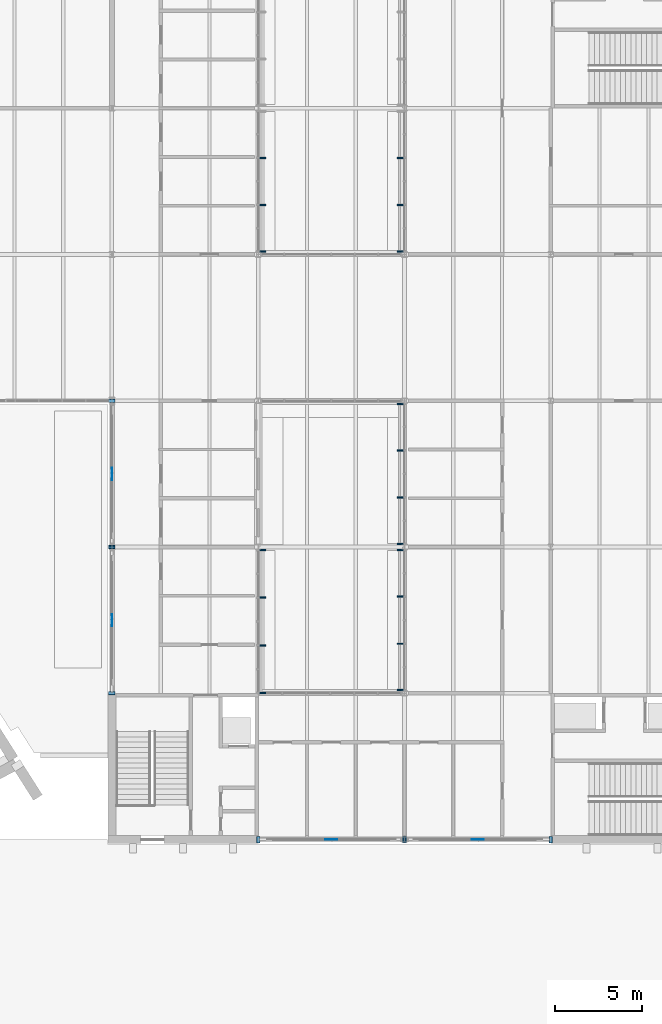
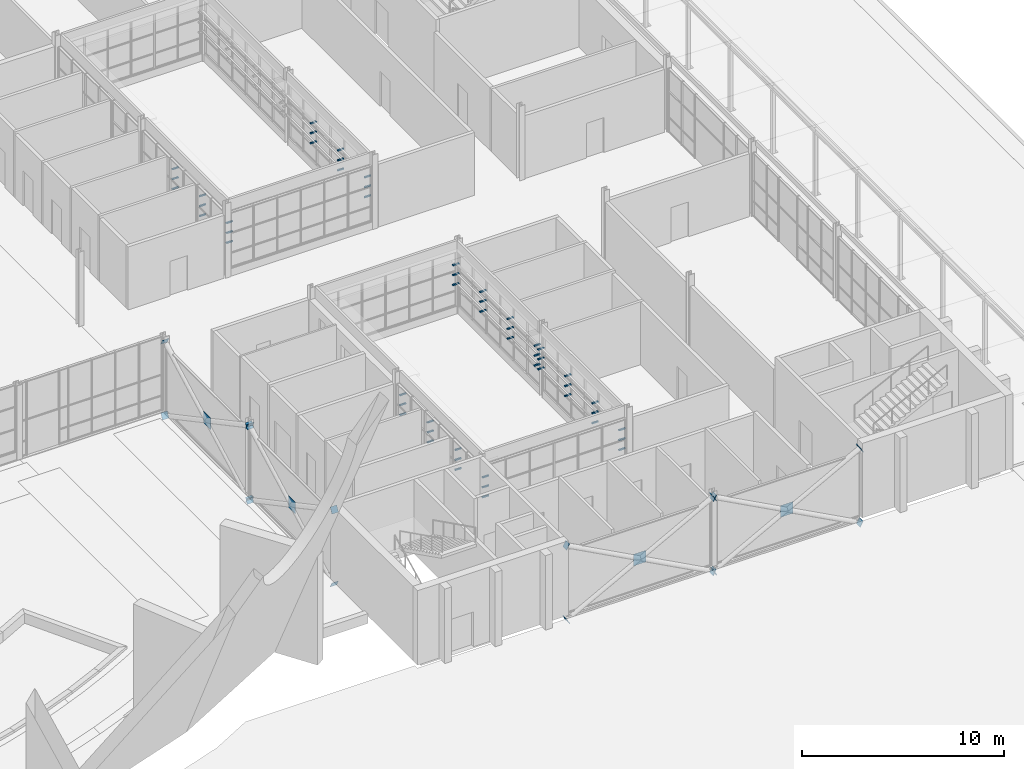
# One storey, part 106 of 116: 74 discrete accessories.
"""IFC4 building model written with IfcOpenShell, lengths in metres."""

from ifc_helpers import new_model, si_unit, direction, frame, origin, origin_2d, place, context, subcontext, project, spatial, rectangle, extrude, material, material_profile, profile_set, type_object, element, save


model = new_model("IFC4")

# Units and contexts
model_context = context("Model", 3, precision=1e-05, world=origin(), true_north=direction((0.0, 1.0)))
body_context = subcontext(model_context, "Body", "Model", "MODEL_VIEW")
ifc_project = project(units=[si_unit("LENGTHUNIT", "METRE"), si_unit("AREAUNIT", "SQUARE_METRE"), si_unit("VOLUMEUNIT", "CUBIC_METRE"), si_unit("PLANEANGLEUNIT", "RADIAN"), si_unit("MASSUNIT", "GRAM", prefix="KILO")], contexts=[model_context])

# Site, building, storey
site_placement = place(None, origin())
site = spatial("IfcSite", under=ifc_project, at=site_placement, CompositionType="ELEMENT")
building_placement = place(site_placement, origin())
building = spatial("IfcBuilding", under=site, at=building_placement, Name="Ardhachandra Cancer Care Centre", CompositionType="ELEMENT")
storey_placement = place(building_placement, origin())
storey = spatial("IfcBuildingStorey", under=building, at=storey_placement, Name="L00", CompositionType="ELEMENT", Elevation=0.0)

# Discrete accessories
ifc_material_1 = material(Name="Steel E250 (IS 2062)", Category="steel")
ifc_material_profile_1 = material_profile(ifc_material_1, rectangle(XDim=0.373046875, YDim=0.373046875, at=origin_2d()), Name="PL 373x373x20")
ifc_profile_set_1 = profile_set([ifc_material_profile_1], Name="Steel E250 (IS 2062)")
discrete_accessory_type_1 = type_object("IfcDiscreteAccessoryType", Name="Brace end plate 373 x 373 x 20", PredefinedType="BRACKET", material=ifc_profile_set_1)
discrete_accessory_1_placement = place(storey_placement, frame((120.0, 29.39990234375, -0.39990234375), z_axis=(0.884384752847, 0.0, 0.466758619558), x_axis=(0.0, 1.0, 0.0)))
element("IfcDiscreteAccessory", 1, at=discrete_accessory_1_placement, inside=storey, type_object=discrete_accessory_type_1, Name="Brace end plate V4-X294-1200 L00 A0", PredefinedType="BRACKET", context=body_context, shape_type="SweptSolid", body=[
    extrude(rectangle(XDim=0.373046875, YDim=0.373046875, at=origin_2d()), origin(), (0.0, 0.0, 1.0), 0.019775390625),
])
discrete_accessory_2_placement = place(storey_placement, frame((128.39990234375, 29.39990234375, 4.10009765625), z_axis=(-0.879291966537, 0.0, -0.476283148541), x_axis=(0.0, -1.0, 0.0)))
element("IfcDiscreteAccessory", 2, at=discrete_accessory_2_placement, inside=storey, type_object=discrete_accessory_type_1, Name="Brace end plate V4-X294-1200 L00 A1", PredefinedType="BRACKET", context=body_context, shape_type="SweptSolid", body=[
    extrude(rectangle(XDim=0.373046875, YDim=0.373046875, at=origin_2d()), origin(), (0.0, 0.0, 1.0), 0.02001953125),
])
discrete_accessory_3_placement = place(storey_placement, frame((128.39990234375, 29.39990234375, -0.39990234375), z_axis=(-0.884384752847, 0.0, 0.466758619558), x_axis=(0.0, -1.0, 0.0)))
element("IfcDiscreteAccessory", 3, at=discrete_accessory_3_placement, inside=storey, type_object=discrete_accessory_type_1, Name="Brace end plate V4-X294-1200 L00 B10", PredefinedType="BRACKET", context=body_context, shape_type="SweptSolid", body=[
    extrude(rectangle(XDim=0.373046875, YDim=0.373046875, at=origin_2d()), origin(), (0.0, 0.0, 1.0), 0.019775390625),
])
for number, where, z_axis, x_axis, name in (
    (4, (120.0, 29.39990234375, 4.10009765625), (0.879291966537, 0.0, -0.476283148541), (0.0, 1.0, 0.0), "Brace end plate V4-X294-1200 L00 B21"),
    (5, (128.39990234375, 29.39990234375, -0.39990234375), (0.887017774073, 0.0, 0.461735279655), (0.0, 1.0, 0.0), "Brace end plate V4-X294-1284 L00 A0"),
    (6, (136.800048828125, 29.39990234375, 4.10009765625), (-0.879291966537, 0.0, -0.476283148541), (0.0, -1.0, 0.0), "Brace end plate V4-X294-1284 L00 A1"),
):
    element("IfcDiscreteAccessory", number, at=place(storey_placement, frame(where, z_axis=z_axis, x_axis=x_axis)), inside=storey, type_object=discrete_accessory_type_1, Name=name, PredefinedType="BRACKET", context=body_context, shape_type="SweptSolid", body=[
        extrude(rectangle(XDim=0.373046875, YDim=0.373046875, at=origin_2d()), origin(), (0.0, 0.0, 1.0), 0.02001953125),
    ])
discrete_accessory_4_placement = place(storey_placement, frame((136.800048828125, 29.39990234375, -0.39990234375), z_axis=(-0.884384752847, 0.0, 0.466758619558), x_axis=(0.0, -1.0, 0.0)))
element("IfcDiscreteAccessory", 7, at=discrete_accessory_4_placement, inside=storey, type_object=discrete_accessory_type_1, Name="Brace end plate V4-X294-1284 L00 B10", PredefinedType="BRACKET", context=body_context, shape_type="SweptSolid", body=[
    extrude(rectangle(XDim=0.373046875, YDim=0.373046875, at=origin_2d()), origin(), (0.0, 0.0, 1.0), 0.019775390625),
])
discrete_accessory_5_placement = place(storey_placement, frame((128.39990234375, 29.39990234375, 4.10009765625), z_axis=(0.882018256262, 0.0, -0.471215232798), x_axis=(0.0, 1.0, 0.0)))
element("IfcDiscreteAccessory", 8, at=discrete_accessory_5_placement, inside=storey, type_object=discrete_accessory_type_1, Name="Brace end plate V4-X294-1284 L00 B21", PredefinedType="BRACKET", context=body_context, shape_type="SweptSolid", body=[
    extrude(rectangle(XDim=0.373046875, YDim=0.373046875, at=origin_2d()), origin(), (0.0, 0.0, 1.0), 0.020263671875),
])
discrete_accessory_6_placement = place(storey_placement, frame((111.60009765625, 37.800048828125, -0.39990234375), z_axis=(0.0, 0.884384752847, 0.466758619558), x_axis=(-1.0, 0.0, 0.0)))
element("IfcDiscreteAccessory", 9, at=discrete_accessory_6_placement, inside=storey, type_object=discrete_accessory_type_1, Name="Brace end plate V4-Y1116-378 L00 A0", PredefinedType="BRACKET", context=body_context, shape_type="SweptSolid", body=[
    extrude(rectangle(XDim=0.373046875, YDim=0.373046875, at=origin_2d()), origin(), (0.0, 0.0, 1.0), 0.019775390625),
])
discrete_accessory_7_placement = place(storey_placement, frame((111.60009765625, 46.199951171875, 4.10009765625), z_axis=(0.0, -0.879291966537, -0.476283148541), x_axis=(1.0, 0.0, 0.0)))
element("IfcDiscreteAccessory", 10, at=discrete_accessory_7_placement, inside=storey, type_object=discrete_accessory_type_1, Name="Brace end plate V4-Y1116-378 L00 A1", PredefinedType="BRACKET", context=body_context, shape_type="SweptSolid", body=[
    extrude(rectangle(XDim=0.373046875, YDim=0.373046875, at=origin_2d()), origin(), (0.0, 0.0, 1.0), 0.02001953125),
])
discrete_accessory_8_placement = place(storey_placement, frame((111.60009765625, 46.199951171875, -0.39990234375), z_axis=(0.0, -0.884384752847, 0.466758619558), x_axis=(1.0, 0.0, 0.0)))
element("IfcDiscreteAccessory", 11, at=discrete_accessory_8_placement, inside=storey, type_object=discrete_accessory_type_1, Name="Brace end plate V4-Y1116-378 L00 B10", PredefinedType="BRACKET", context=body_context, shape_type="SweptSolid", body=[
    extrude(rectangle(XDim=0.373046875, YDim=0.373046875, at=origin_2d()), origin(), (0.0, 0.0, 1.0), 0.019775390625),
])
discrete_accessory_9_placement = place(storey_placement, frame((111.60009765625, 37.800048828125, 4.10009765625), z_axis=(0.0, 0.879291966537, -0.476283148541), x_axis=(-1.0, 0.0, 0.0)))
element("IfcDiscreteAccessory", 12, at=discrete_accessory_9_placement, inside=storey, type_object=discrete_accessory_type_1, Name="Brace end plate V4-Y1116-378 L00 B21", PredefinedType="BRACKET", context=body_context, shape_type="SweptSolid", body=[
    extrude(rectangle(XDim=0.373046875, YDim=0.373046875, at=origin_2d()), origin(), (0.0, 0.0, 1.0), 0.02001953125),
])
discrete_accessory_10_placement = place(storey_placement, frame((111.60009765625, 46.199951171875, -0.39990234375), z_axis=(0.0, 0.884384752847, 0.466758619558), x_axis=(-1.0, 0.0, 0.0)))
element("IfcDiscreteAccessory", 13, at=discrete_accessory_10_placement, inside=storey, type_object=discrete_accessory_type_1, Name="Brace end plate V4-Y1116-462 L00 A0", PredefinedType="BRACKET", context=body_context, shape_type="SweptSolid", body=[
    extrude(rectangle(XDim=0.373046875, YDim=0.373046875, at=origin_2d()), origin(), (0.0, 0.0, 1.0), 0.019775390625),
])
discrete_accessory_11_placement = place(storey_placement, frame((111.60009765625, 54.60009765625, 4.10009765625), z_axis=(0.0, -0.882018256262, -0.471215232798), x_axis=(1.0, 0.0, 0.0)))
element("IfcDiscreteAccessory", 14, at=discrete_accessory_11_placement, inside=storey, type_object=discrete_accessory_type_1, Name="Brace end plate V4-Y1116-462 L00 A1", PredefinedType="BRACKET", context=body_context, shape_type="SweptSolid", body=[
    extrude(rectangle(XDim=0.373046875, YDim=0.373046875, at=origin_2d()), origin(), (0.0, 0.0, 1.0), 0.020263671875),
])
for number, where, z_axis, x_axis, name in (
    (15, (111.60009765625, 54.60009765625, -0.39990234375), (0.0, -0.887017774073, 0.461735279655), (1.0, 0.0, 0.0), "Brace end plate V4-Y1116-462 L00 B10"),
    (16, (111.60009765625, 46.199951171875, 4.10009765625), (0.0, 0.879291966537, -0.476283148541), (-1.0, 0.0, 0.0), "Brace end plate V4-Y1116-462 L00 B21"),
):
    element("IfcDiscreteAccessory", number, at=place(storey_placement, frame(where, z_axis=z_axis, x_axis=x_axis)), inside=storey, type_object=discrete_accessory_type_1, Name=name, PredefinedType="BRACKET", context=body_context, shape_type="SweptSolid", body=[
        extrude(rectangle(XDim=0.373046875, YDim=0.373046875, at=origin_2d()), origin(), (0.0, 0.0, 1.0), 0.02001953125),
    ])
ifc_material_2 = material(Name="Steel E250 (IS 2062)", Category="steel")
ifc_material_profile_2 = material_profile(ifc_material_2, rectangle(XDim=0.699951171875, YDim=0.699951171875, at=origin_2d()), Name="PL 700x700x20")
ifc_profile_set_2 = profile_set([ifc_material_profile_2], Name="Steel E250 (IS 2062)")
discrete_accessory_type_2 = type_object("IfcDiscreteAccessoryType", Name="Brace node plate 700 x 700 x 20", PredefinedType="BRACKET", material=ifc_profile_set_2)
for number, where, z_axis, x_axis, name in (
    (17, (124.199951171875, 29.389892578125, 1.85009765625), (0.0, 1.0, 0.0), (-1.0, 0.0, 0.0), "Brace node plate V4-X294-1200 L00"),
    (18, (132.60009765625, 29.389892578125, 1.85009765625), (0.0, 1.0, 0.0), (-1.0, 0.0, 0.0), "Brace node plate V4-X294-1284 L00"),
    (19, (111.590087890625, 42.0, 1.85009765625), (1.0, 0.0, 0.0), (0.0, 1.0, 0.0), "Brace node plate V4-Y1116-378 L00"),
    (20, (111.590087890625, 50.39990234375, 1.85009765625), (1.0, 0.0, 0.0), (0.0, 1.0, 0.0), "Brace node plate V4-Y1116-462 L00"),
):
    element("IfcDiscreteAccessory", number, at=place(storey_placement, frame(where, z_axis=z_axis, x_axis=x_axis)), inside=storey, type_object=discrete_accessory_type_2, Name=name, PredefinedType="BRACKET", context=body_context, shape_type="SweptSolid", body=[
        extrude(rectangle(XDim=0.699951171875, YDim=0.699951171875, at=origin_2d()), origin(), (0.0, 0.0, 1.0), 0.02001953125),
    ])
ifc_material_3 = material(Name="Galvanised flat steel (Steel E250 (IS 2062))", Category="steel")
discrete_accessory_type_3 = type_object("IfcDiscreteAccessoryType", Name="Louvre bracket 80 x 350", PredefinedType="BRACKET", material=ifc_material_3)
for number, where, z_axis, x_axis, name in (
    (21, (120.2548828125, 37.830078125, 1.83447265625), (0.0, 0.0, 1.0), (0.0, 1.0, 0.0), "Louvre bracket L00/e/0120000_0037800 1.1"),
    (22, (120.2548828125, 40.550048828125, 1.83447265625), (0.0, 0.0, 1.0), (0.0, 1.0, 0.0), "Louvre bracket L00/e/0120000_0037800 1.2"),
    (23, (120.2548828125, 43.300048828125, 1.83447265625), (0.0, 0.0, 1.0), (0.0, 1.0, 0.0), "Louvre bracket L00/e/0120000_0037800 1.3"),
    (24, (120.2548828125, 46.02001953125, 1.83447265625), (0.0, 0.0, 1.0), (0.0, 1.0, 0.0), "Louvre bracket L00/e/0120000_0037800 1.4"),
    (25, (120.2548828125, 37.830078125, 2.4345703125), (0.0, 0.0, 1.0), (0.0, 1.0, 0.0), "Louvre bracket L00/e/0120000_0037800 2.1"),
    (26, (120.2548828125, 40.550048828125, 2.4345703125), (0.0, 0.0, 1.0), (0.0, 1.0, 0.0), "Louvre bracket L00/e/0120000_0037800 2.2"),
    (27, (120.2548828125, 43.300048828125, 2.4345703125), (0.0, 0.0, 1.0), (0.0, 1.0, 0.0), "Louvre bracket L00/e/0120000_0037800 2.3"),
    (28, (120.2548828125, 46.02001953125, 2.4345703125), (0.0, 0.0, 1.0), (0.0, 1.0, 0.0), "Louvre bracket L00/e/0120000_0037800 2.4"),
    (29, (120.2548828125, 37.830078125, 3.03466796875), (0.0, 0.0, 1.0), (0.0, 1.0, 0.0), "Louvre bracket L00/e/0120000_0037800 3.1"),
    (30, (120.2548828125, 40.550048828125, 3.03466796875), (0.0, 0.0, 1.0), (0.0, 1.0, 0.0), "Louvre bracket L00/e/0120000_0037800 3.2"),
    (31, (120.2548828125, 43.300048828125, 3.03466796875), (0.0, 0.0, 1.0), (0.0, 1.0, 0.0), "Louvre bracket L00/e/0120000_0037800 3.3"),
    (32, (120.2548828125, 46.02001953125, 3.03466796875), (0.0, 0.0, 1.0), (0.0, 1.0, 0.0), "Louvre bracket L00/e/0120000_0037800 3.4"),
    (33, (120.2548828125, 63.179931640625, 1.83447265625), (0.0, 0.0, 1.0), (0.0, 1.0, 0.0), "Louvre bracket L00/e/0120000_0063000 1.1"),
    (34, (120.2548828125, 65.85009765625, 1.83447265625), (0.0, 0.0, 1.0), (0.0, 1.0, 0.0), "Louvre bracket L00/e/0120000_0063000 1.2"),
    (35, (120.2548828125, 68.550048828125, 1.83447265625), (0.0, 0.0, 1.0), (0.0, 1.0, 0.0), "Louvre bracket L00/e/0120000_0063000 1.3"),
    (36, (120.2548828125, 63.179931640625, 2.4345703125), (0.0, 0.0, 1.0), (0.0, 1.0, 0.0), "Louvre bracket L00/e/0120000_0063000 2.1"),
    (37, (120.2548828125, 65.85009765625, 2.4345703125), (0.0, 0.0, 1.0), (0.0, 1.0, 0.0), "Louvre bracket L00/e/0120000_0063000 2.2"),
    (38, (120.2548828125, 68.550048828125, 2.4345703125), (0.0, 0.0, 1.0), (0.0, 1.0, 0.0), "Louvre bracket L00/e/0120000_0063000 2.3"),
    (39, (120.2548828125, 63.179931640625, 3.03466796875), (0.0, 0.0, 1.0), (0.0, 1.0, 0.0), "Louvre bracket L00/e/0120000_0063000 3.1"),
    (40, (120.2548828125, 65.85009765625, 3.03466796875), (0.0, 0.0, 1.0), (0.0, 1.0, 0.0), "Louvre bracket L00/e/0120000_0063000 3.2"),
    (41, (120.2548828125, 68.550048828125, 3.03466796875), (0.0, 0.0, 1.0), (0.0, 1.0, 0.0), "Louvre bracket L00/e/0120000_0063000 3.3"),
    (42, (128.14501953125, 37.97998046875, 1.83447265625), (0.0, 0.0, 1.0), (0.0, 1.0, 0.0), "Louvre bracket L00/w/0128400_0037800 1.1"),
    (43, (128.14501953125, 40.64990234375, 1.83447265625), (0.0, 0.0, 1.0), (0.0, 1.0, 0.0), "Louvre bracket L00/w/0128400_0037800 1.2"),
    (44, (128.14501953125, 43.35009765625, 1.83447265625), (0.0, 0.0, 1.0), (0.0, 1.0, 0.0), "Louvre bracket L00/w/0128400_0037800 1.3"),
    (45, (128.14501953125, 46.02001953125, 1.83447265625), (0.0, 0.0, 1.0), (0.0, 1.0, 0.0), "Louvre bracket L00/w/0128400_0037800 1.4"),
    (46, (128.14501953125, 37.97998046875, 2.4345703125), (0.0, 0.0, 1.0), (0.0, 1.0, 0.0), "Louvre bracket L00/w/0128400_0037800 2.1"),
    (47, (128.14501953125, 40.64990234375, 2.4345703125), (0.0, 0.0, 1.0), (0.0, 1.0, 0.0), "Louvre bracket L00/w/0128400_0037800 2.2"),
    (48, (128.14501953125, 43.35009765625, 2.4345703125), (0.0, 0.0, 1.0), (0.0, 1.0, 0.0), "Louvre bracket L00/w/0128400_0037800 2.3"),
    (49, (128.14501953125, 46.02001953125, 2.4345703125), (0.0, 0.0, 1.0), (0.0, 1.0, 0.0), "Louvre bracket L00/w/0128400_0037800 2.4"),
    (50, (128.14501953125, 37.97998046875, 3.03466796875), (0.0, 0.0, 1.0), (0.0, 1.0, 0.0), "Louvre bracket L00/w/0128400_0037800 3.1"),
    (51, (128.14501953125, 40.64990234375, 3.03466796875), (0.0, 0.0, 1.0), (0.0, 1.0, 0.0), "Louvre bracket L00/w/0128400_0037800 3.2"),
    (52, (128.14501953125, 43.35009765625, 3.03466796875), (0.0, 0.0, 1.0), (0.0, 1.0, 0.0), "Louvre bracket L00/w/0128400_0037800 3.3"),
    (53, (128.14501953125, 46.02001953125, 3.03466796875), (0.0, 0.0, 1.0), (0.0, 1.0, 0.0), "Louvre bracket L00/w/0128400_0037800 3.4"),
    (54, (128.14501953125, 46.3798828125, 1.83447265625), (0.0, 0.0, 1.0), (0.0, 1.0, 0.0), "Louvre bracket L00/w/0128400_0046200 1.1"),
    (55, (128.14501953125, 49.050048828125, 1.83447265625), (0.0, 0.0, 1.0), (0.0, 1.0, 0.0), "Louvre bracket L00/w/0128400_0046200 1.2"),
    (56, (128.14501953125, 51.75, 1.83447265625), (0.0, 0.0, 1.0), (0.0, 1.0, 0.0), "Louvre bracket L00/w/0128400_0046200 1.3"),
    (57, (128.14501953125, 54.419921875, 1.83447265625), (0.0, 0.0, 1.0), (0.0, 1.0, 0.0), "Louvre bracket L00/w/0128400_0046200 1.4"),
    (58, (128.14501953125, 46.3798828125, 2.4345703125), (0.0, 0.0, 1.0), (0.0, 1.0, 0.0), "Louvre bracket L00/w/0128400_0046200 2.1"),
    (59, (128.14501953125, 49.050048828125, 2.4345703125), (0.0, 0.0, 1.0), (0.0, 1.0, 0.0), "Louvre bracket L00/w/0128400_0046200 2.2"),
    (60, (128.14501953125, 51.75, 2.4345703125), (0.0, 0.0, 1.0), (0.0, 1.0, 0.0), "Louvre bracket L00/w/0128400_0046200 2.3"),
    (61, (128.14501953125, 54.419921875, 2.4345703125), (0.0, 0.0, 1.0), (0.0, 1.0, 0.0), "Louvre bracket L00/w/0128400_0046200 2.4"),
    (62, (128.14501953125, 46.3798828125, 3.03466796875), (0.0, 0.0, 1.0), (0.0, 1.0, 0.0), "Louvre bracket L00/w/0128400_0046200 3.1"),
    (63, (128.14501953125, 49.050048828125, 3.03466796875), (0.0, 0.0, 1.0), (0.0, 1.0, 0.0), "Louvre bracket L00/w/0128400_0046200 3.2"),
    (64, (128.14501953125, 51.75, 3.03466796875), (0.0, 0.0, 1.0), (0.0, 1.0, 0.0), "Louvre bracket L00/w/0128400_0046200 3.3"),
    (65, (128.14501953125, 54.419921875, 3.03466796875), (0.0, 0.0, 1.0), (0.0, 1.0, 0.0), "Louvre bracket L00/w/0128400_0046200 3.4"),
    (66, (128.14501953125, 63.179931640625, 1.83447265625), (0.0, 0.0, 1.0), (0.0, 1.0, 0.0), "Louvre bracket L00/w/0128400_0063000 1.1"),
    (67, (128.14501953125, 65.85009765625, 1.83447265625), (0.0, 0.0, 1.0), (0.0, 1.0, 0.0), "Louvre bracket L00/w/0128400_0063000 1.2"),
    (68, (128.14501953125, 68.550048828125, 1.83447265625), (0.0, 0.0, 1.0), (0.0, 1.0, 0.0), "Louvre bracket L00/w/0128400_0063000 1.3"),
    (69, (128.14501953125, 63.179931640625, 2.4345703125), (0.0, 0.0, 1.0), (0.0, 1.0, 0.0), "Louvre bracket L00/w/0128400_0063000 2.1"),
    (70, (128.14501953125, 65.85009765625, 2.4345703125), (0.0, 0.0, 1.0), (0.0, 1.0, 0.0), "Louvre bracket L00/w/0128400_0063000 2.2"),
    (71, (128.14501953125, 68.550048828125, 2.4345703125), (0.0, 0.0, 1.0), (0.0, 1.0, 0.0), "Louvre bracket L00/w/0128400_0063000 2.3"),
    (72, (128.14501953125, 63.179931640625, 3.03466796875), (0.0, 0.0, 1.0), (0.0, 1.0, 0.0), "Louvre bracket L00/w/0128400_0063000 3.1"),
    (73, (128.14501953125, 65.85009765625, 3.03466796875), (0.0, 0.0, 1.0), (0.0, 1.0, 0.0), "Louvre bracket L00/w/0128400_0063000 3.2"),
    (74, (128.14501953125, 68.550048828125, 3.03466796875), (0.0, 0.0, 1.0), (0.0, 1.0, 0.0), "Louvre bracket L00/w/0128400_0063000 3.3"),
):
    element("IfcDiscreteAccessory", number, at=place(storey_placement, frame(where, z_axis=z_axis, x_axis=x_axis)), inside=storey, type_object=discrete_accessory_type_3, Name=name, PredefinedType="BRACKET", context=body_context, shape_type="SweptSolid", body=[
        extrude(rectangle(XDim=0.080078125, YDim=0.35009765625, at=origin_2d()), origin(), (0.0, 0.0, 1.0), 0.050048828125),
    ])

save(model, "model.ifc")
